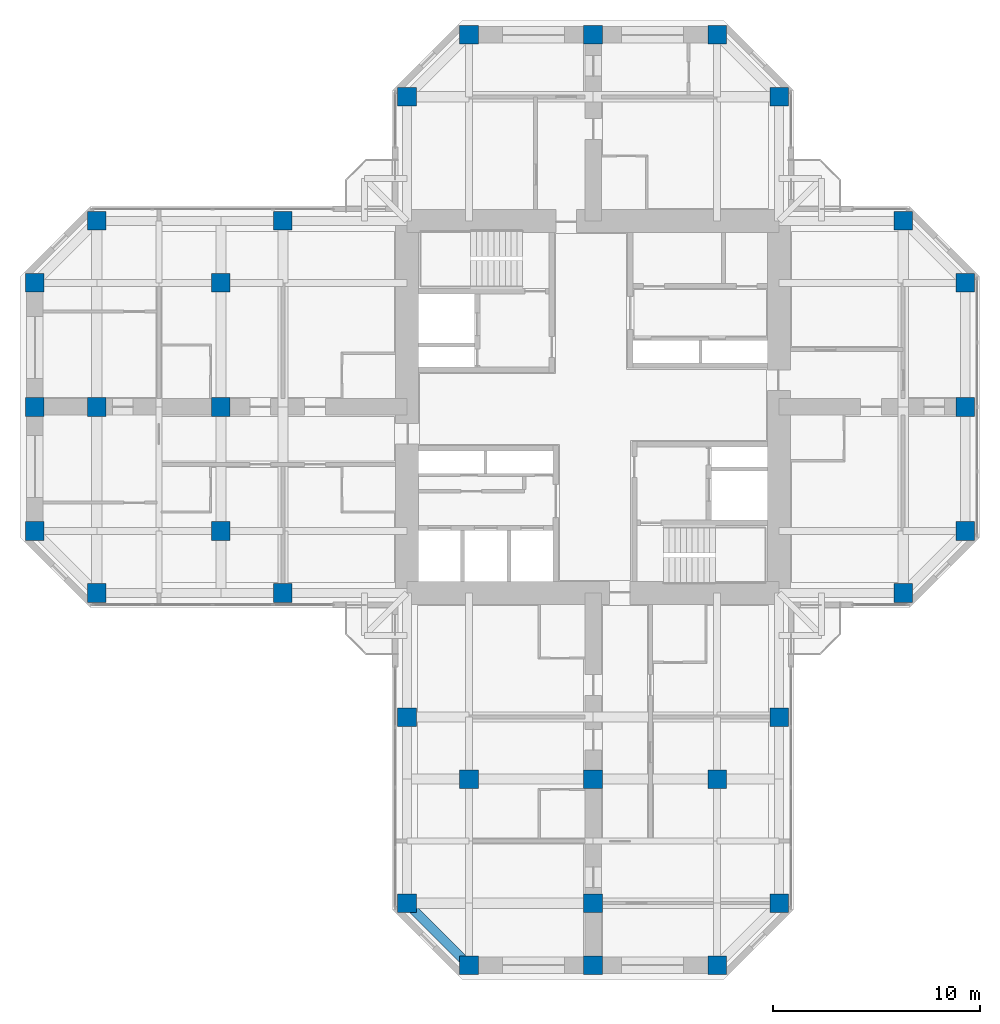
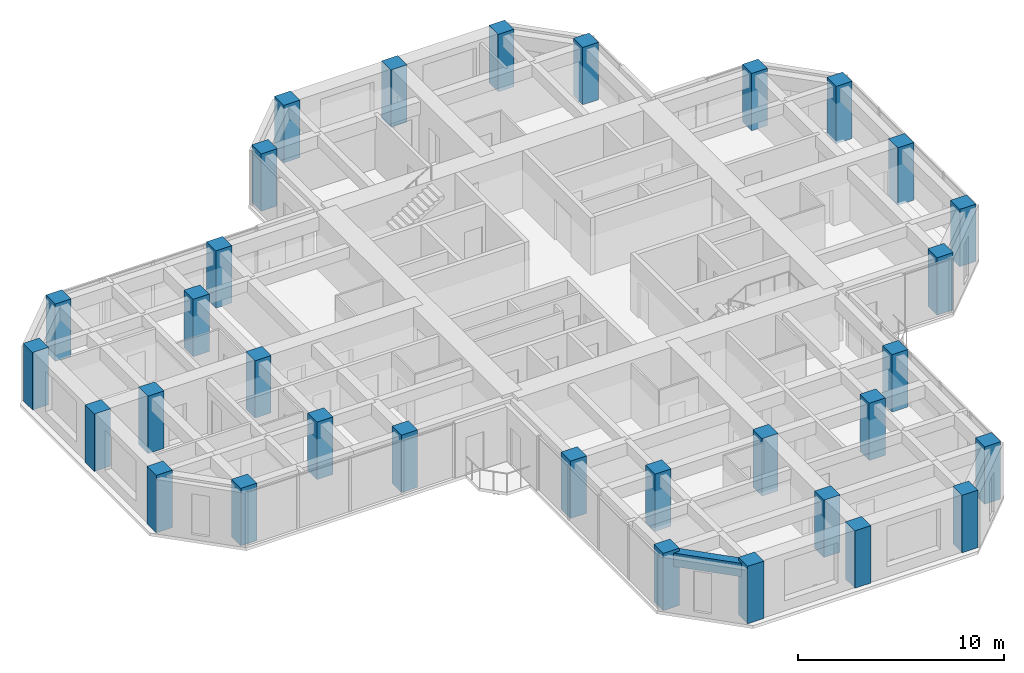
# One storey, part 1 of 13: 32 columns, 1 beam.
"""IFC4 building model written with IfcOpenShell, lengths in metres."""

import ifcopenshell
import ifcopenshell.guid

model = None  # the IFC model being written
_history = None  # IfcOwnerHistory: only IFC2X3 demands one
_inside = {}  # id of a spatial element -> (the spatial element, [elements in it])
_under = {}  # id of a project, library or spatial element -> (it, [spatial elements below it])
_declared = {}  # id of a project -> (the project, [libraries it declares])
_typed = {}  # id of a type object -> (the type object, [elements of that type])
_made_of = {}  # id of a material, layer set ... -> (it, [elements and type objects made of it])


def new_model(schema):
    """Start an empty IFC model of exactly this schema.

    Asked for "IFC4X3", IfcOpenShell would pick the latest addendum, in which some entities
    have other attributes; the version numbers below select the first issue.
    IFC2X3 requires an IfcOwnerHistory on every rooted entity: one is made here for all.
    """
    global model, _history
    if schema == "IFC4X3":
        model = ifcopenshell.file(schema_version=(4, 3, 0, 0))
    else:
        model = ifcopenshell.file(schema=schema)
    _inside.clear()
    _under.clear()
    _declared.clear()
    _typed.clear()
    _made_of.clear()
    _history = None
    if model.schema == "IFC2X3":
        org = make("IfcOrganization", Name="unknown")
        user = make(
            "IfcPersonAndOrganization",
            ThePerson=make("IfcPerson", FamilyName="unknown"),
            TheOrganization=org,
        )
        app = make(
            "IfcApplication",
            ApplicationDeveloper=org,
            Version="unknown",
            ApplicationFullName="unknown",
            ApplicationIdentifier="unknown",
        )
        _history = make(
            "IfcOwnerHistory",
            OwningUser=user,
            OwningApplication=app,
            ChangeAction="ADDED",
            CreationDate=0,
        )
    return model


def make(cls, **values):
    """One entity of the class cls with the attributes given. An attribute that is None is left unset."""
    return model.create_entity(
        cls, **{name: value for name, value in values.items() if value is not None}
    )


def rooted(cls, **values):
    """An entity with a GlobalId (a new one), such as an element, a storey or a relation."""
    return make(cls, GlobalId=ifcopenshell.guid.new(), OwnerHistory=_history, **values)


def si_unit(unit_type, name, prefix=None):
    """IfcSIUnit, for example si_unit("LENGTHUNIT", "METRE", prefix="MILLI")."""
    return make("IfcSIUnit", UnitType=unit_type, Prefix=prefix, Name=name)


def assignment(units):
    """IfcUnitAssignment: the units of a project."""
    return None if units is None else make("IfcUnitAssignment", Units=units)


def point(xyz):
    """IfcCartesianPoint."""
    return None if xyz is None else make("IfcCartesianPoint", Coordinates=xyz)


def direction(xyz):
    """IfcDirection."""
    return None if xyz is None else make("IfcDirection", DirectionRatios=xyz)


def frame(location, z_axis=None, x_axis=None):
    """IfcAxis2Placement3D, a coordinate frame: its origin and axes. An axis left out is left unset."""
    return make(
        "IfcAxis2Placement3D",
        Location=point(location),
        Axis=direction(z_axis),
        RefDirection=direction(x_axis),
    )


def frame_2d(location, x_axis=None):
    """IfcAxis2Placement2D, a coordinate frame in the plane: its origin and x axis."""
    return make(
        "IfcAxis2Placement2D", Location=point(location), RefDirection=direction(x_axis)
    )


def origin():
    """The frame at (0, 0, 0) with its axes left unset."""
    return frame((0.0, 0.0, 0.0))


def origin_2d():
    """The frame at (0, 0) in the plane with its x axis left unset."""
    return frame_2d((0.0, 0.0))


def place(relative_to, where):
    """IfcLocalPlacement: puts the frame where relative to a parent placement (None: the world)."""
    return make(
        "IfcLocalPlacement", PlacementRelTo=relative_to, RelativePlacement=where
    )


def context(
    kind, dimensions, precision=None, world=None, true_north=None, identifier=None
):
    """IfcGeometricRepresentationContext, for example the 3D "Model" context."""
    return make(
        "IfcGeometricRepresentationContext",
        ContextIdentifier=identifier,
        ContextType=kind,
        CoordinateSpaceDimension=dimensions,
        Precision=precision,
        WorldCoordinateSystem=world,
        TrueNorth=true_north,
    )


def subcontext(parent, identifier, kind, view, scale=None):
    """IfcGeometricRepresentationSubContext, for example "Body" below "Model"."""
    return make(
        "IfcGeometricRepresentationSubContext",
        ContextIdentifier=identifier,
        ContextType=kind,
        ParentContext=parent,
        TargetScale=scale,
        TargetView=view,
    )


def project(units=None, contexts=None):
    """IfcProject with its units and contexts."""
    return rooted(
        "IfcProject",
        Name="project",
        RepresentationContexts=contexts,
        UnitsInContext=assignment(units),
    )


def spatial(cls, under=None, at=None, **own):
    """A site, building, storey or space (cls), placed at a placement, below another one or the project."""
    s = rooted(cls, ObjectPlacement=at, **own)
    if under is not None:
        _under.setdefault(under.id(), (under, []))[1].append(s)
    return s


def profile(cls, at=None, kind="AREA", **sizes):
    """A parametric profile (cls). Its sizes go by their IFC names, for example OverallWidth=200.0."""
    return make(cls, ProfileType=kind, Position=at, **sizes)


def rectangle(**sizes):
    """IfcRectangleProfileDef."""
    return profile("IfcRectangleProfileDef", **sizes)


def extrude(swept, where, along, depth):
    """IfcExtrudedAreaSolid: the profile swept, set in the frame where, extruded along a direction by depth."""
    return make(
        "IfcExtrudedAreaSolid",
        SweptArea=swept,
        Position=where,
        ExtrudedDirection=direction(along),
        Depth=depth,
    )


def shape(context_of_items, identifier, shape_type, items):
    """IfcShapeRepresentation: the items that make up one representation, for example the "Body"."""
    return make(
        "IfcShapeRepresentation",
        ContextOfItems=context_of_items,
        RepresentationIdentifier=identifier,
        RepresentationType=shape_type,
        Items=items,
    )


def material(Name=None, Category=None):
    """IfcMaterial."""
    return make("IfcMaterial", Name=Name, Category=Category)


def material_profile(
    of_material, cross_section, Name=None, Category=None, Priority=None
):
    """IfcMaterialProfile: a cross section and its material."""
    return make(
        "IfcMaterialProfile",
        Name=Name,
        Material=of_material,
        Profile=cross_section,
        Priority=Priority,
        Category=Category,
    )


def profile_set(profiles, Name=None, composite=None):
    """IfcMaterialProfileSet."""
    return make(
        "IfcMaterialProfileSet",
        Name=Name,
        MaterialProfiles=profiles,
        CompositeProfile=composite,
    )


def made_of(thing, what):
    """Note that an element or type object is made of a material, layer set ...; save() writes the relation."""
    if what is not None:
        _made_of.setdefault(what.id(), (what, []))[1].append(thing)
    return thing


def type_object(cls, material=None, **own):
    """A type object (cls), such as IfcWallType, which elements share."""
    return made_of(rooted(cls, **own), material)


def element(
    cls,
    number,
    at=None,
    inside=None,
    cuts=None,
    type_object=None,
    material=None,
    context=None,
    identifier="Body",
    shape_type=None,
    held_by="IfcProductDefinitionShape",
    body=None,
    shapes=None,
    **own,
):
    """One element of the class cls, such as IfcWall. Its Tag is "e" and its number.

    at: its placement. inside: the storey or other place that contains it. cuts: it is an
    opening in that element (IfcRelVoidsElement). A single representation is given by context,
    identifier, shape_type and body (its items); several are given by shapes. held_by: the class
    of the entity that holds the representations. save() writes the other relations.
    """
    e = rooted(cls, Tag="e%d" % number, ObjectPlacement=at, **own)
    if body is not None:
        shapes = [shape(context, identifier, shape_type, body)]
    if shapes is not None:
        e.Representation = make(held_by, Representations=shapes)
    if inside is not None:
        _inside.setdefault(inside.id(), (inside, []))[1].append(e)
    if cuts is not None:
        rooted(
            "IfcRelVoidsElement", RelatingBuildingElement=cuts, RelatedOpeningElement=e
        )
    if type_object is not None:
        _typed.setdefault(type_object.id(), (type_object, []))[1].append(e)
    return made_of(e, material)


def aggregate(whole, parts):
    """IfcRelAggregates: a whole, such as a stair, and the parts it consists of."""
    return rooted("IfcRelAggregates", RelatingObject=whole, RelatedObjects=parts)


def save(model, path):
    """Write the relations noted so far, then the file.

    IfcRelAggregates (storeys below a building ...), IfcRelContainedInSpatialStructure (elements
    in a storey), IfcRelDefinesByType, IfcRelAssociatesMaterial and IfcRelDeclares: one each for
    every whole, place, type object, material and project.
    """
    for whole, parts in _under.values():
        aggregate(whole, parts)
    for where, things in _inside.values():
        rooted(
            "IfcRelContainedInSpatialStructure",
            RelatedElements=things,
            RelatingStructure=where,
        )
    for kind, things in _typed.values():
        rooted("IfcRelDefinesByType", RelatedObjects=things, RelatingType=kind)
    for what, things in _made_of.values():
        rooted("IfcRelAssociatesMaterial", RelatedObjects=things, RelatingMaterial=what)
    for by, libraries in _declared.values():
        rooted("IfcRelDeclares", RelatingContext=by, RelatedDefinitions=libraries)
    model.write(path)


model = new_model("IFC4")

# Units and contexts
model_context = context("Model", 3, precision=1e-05, world=origin(), true_north=direction((0.0, 1.0)))
body_context = subcontext(model_context, "Body", "Model", "MODEL_VIEW")
ifc_project = project(units=[si_unit("LENGTHUNIT", "METRE"), si_unit("AREAUNIT", "SQUARE_METRE"), si_unit("VOLUMEUNIT", "CUBIC_METRE"), si_unit("PLANEANGLEUNIT", "RADIAN"), si_unit("MASSUNIT", "GRAM", prefix="KILO")], contexts=[model_context])

# Site, building, storey
site_placement = place(None, origin())
site = spatial("IfcSite", under=ifc_project, at=site_placement, CompositionType="ELEMENT")
building_placement = place(site_placement, origin())
building = spatial("IfcBuilding", under=site, at=building_placement, Name="Torre Cruceta", CompositionType="ELEMENT")
storey_placement = place(building_placement, frame((0.0, 0.0, 193.300048828125)))
storey = spatial("IfcBuildingStorey", under=building, at=storey_placement, Name="L48", CompositionType="ELEMENT", Elevation=193.300048828125)

# Columns
ifc_material_1 = material(Name="Concrete G60 (fck 60 MPa)", Category="concrete")
ifc_material_profile_1 = material_profile(ifc_material_1, rectangle(XDim=0.89990234375, YDim=0.89990234375, at=origin_2d()), Name="RC 900X900")
ifc_profile_set_1 = profile_set([ifc_material_profile_1], Name="Concrete G60 (fck 60 MPa)")
column_type = type_object("IfcColumnType", Name="COLUMN RC 900X900", PredefinedType="COLUMN", material=ifc_profile_set_1)
for number, where, z_axis, x_axis, name in (
    (1, (9.0, 15.0, 0.0), (0.0, 0.0, 1.0), (1.0, 0.0, 0.0), "C6 L48 N chamfer"),
    (2, (-9.0, 15.0, 0.0), (0.0, 0.0, 1.0), (1.0, 0.0, 0.0), "C6 L48 N chamfer"),
    (3, (6.0, 18.0, 0.0), (0.0, 0.0, 1.0), (1.0, 0.0, 0.0), "C6 L48 N tip"),
    (4, (0.0, 18.0, 0.0), (0.0, 0.0, 1.0), (1.0, 0.0, 0.0), "C6 L48 N tip"),
    (5, (-6.0, 18.0, 0.0), (0.0, 0.0, 1.0), (1.0, 0.0, 0.0), "C6 L48 N tip"),
    (6, (15.0, -9.0, 0.0), (0.0, 0.0, 1.0), (1.0, 0.0, 0.0), "C6 L48 E chamfer"),
    (7, (15.0, 9.0, 0.0), (0.0, 0.0, 1.0), (1.0, 0.0, 0.0), "C6 L48 E chamfer"),
    (8, (18.0, -6.0, 0.0), (0.0, 0.0, 1.0), (1.0, 0.0, 0.0), "C6 L48 E tip"),
    (9, (18.0, 0.0, 0.0), (0.0, 0.0, 1.0), (1.0, 0.0, 0.0), "C6 L48 E tip"),
    (10, (18.0, 6.0, 0.0), (0.0, 0.0, 1.0), (1.0, 0.0, 0.0), "C6 L48 E tip"),
    (11, (-9.0, -15.0, 0.0), (0.0, 0.0, 1.0), (1.0, 0.0, 0.0), "C6 L48 S side"),
    (12, (-9.0, -24.0, 0.0), (0.0, 0.0, 1.0), (1.0, 0.0, 0.0), "C6 L48 S chamfer"),
    (13, (9.0, -15.0, 0.0), (0.0, 0.0, 1.0), (1.0, 0.0, 0.0), "C6 L48 S side"),
    (14, (9.0, -24.0, 0.0), (0.0, 0.0, 1.0), (1.0, 0.0, 0.0), "C6 L48 S chamfer"),
    (15, (-6.0, -27.0, 0.0), (0.0, 0.0, 1.0), (1.0, 0.0, 0.0), "C6 L48 S tip"),
    (16, (0.0, -27.0, 0.0), (0.0, 0.0, 1.0), (1.0, 0.0, 0.0), "C6 L48 S tip"),
    (17, (6.0, -27.0, 0.0), (0.0, 0.0, 1.0), (1.0, 0.0, 0.0), "C6 L48 S tip"),
    (18, (-15.0, 9.0, 0.0), (0.0, 0.0, 1.0), (1.0, 0.0, 0.0), "C6 L48 W side"),
    (19, (-24.0, 9.0, 0.0), (0.0, 0.0, 1.0), (1.0, 0.0, 0.0), "C6 L48 W chamfer"),
    (20, (-15.0, -9.0, 0.0), (0.0, 0.0, 1.0), (1.0, 0.0, 0.0), "C6 L48 W side"),
    (21, (-24.0, -9.0, 0.0), (0.0, 0.0, 1.0), (1.0, 0.0, 0.0), "C6 L48 W chamfer"),
    (22, (-27.0, 6.0, 0.0), (0.0, 0.0, 1.0), (1.0, 0.0, 0.0), "C6 L48 W tip"),
    (23, (-27.0, 0.0, 0.0), (0.0, 0.0, 1.0), (1.0, 0.0, 0.0), "C6 L48 W tip"),
    (24, (-27.0, -6.0, 0.0), (0.0, 0.0, 1.0), (1.0, 0.0, 0.0), "C6 L48 W tip"),
    (25, (-6.0, -18.0, 0.0), (0.0, 0.0, 1.0), (1.0, 0.0, 0.0), "C6 L48 S interior"),
    (26, (0.0, -18.0, 0.0), (0.0, 0.0, 1.0), (1.0, 0.0, 0.0), "C6 L48 S interior"),
    (27, (6.0, -18.0, 0.0), (0.0, 0.0, 1.0), (1.0, 0.0, 0.0), "C6 L48 S interior"),
    (28, (0.0, -24.0, 0.0), (0.0, 0.0, 1.0), (1.0, 0.0, 0.0), "C6 L48 S interior"),
    (29, (-18.0, 6.0, 0.0), (0.0, 0.0, 1.0), (1.0, 0.0, 0.0), "C6 L48 W interior"),
    (30, (-18.0, 0.0, 0.0), (0.0, 0.0, 1.0), (1.0, 0.0, 0.0), "C6 L48 W interior"),
    (31, (-18.0, -6.0, 0.0), (0.0, 0.0, 1.0), (1.0, 0.0, 0.0), "C6 L48 W interior"),
    (32, (-24.0, 0.0, 0.0), (0.0, 0.0, 1.0), (1.0, 0.0, 0.0), "C6 L48 W interior"),
):
    element("IfcColumn", number, at=place(storey_placement, frame(where, z_axis=z_axis, x_axis=x_axis)), inside=storey, type_object=column_type, Name=name, PredefinedType="COLUMN", context=body_context, shape_type="SweptSolid", body=[
        extrude(rectangle(XDim=0.89990234375, YDim=0.89990234375, at=origin_2d()), origin(), (0.0, 0.0, 1.0), 3.39990234375),
    ])

# Beam
ifc_material_2 = material(Name="Concrete G60 (fck 60 MPa)", Category="concrete")
ifc_material_profile_2 = material_profile(ifc_material_2, rectangle(XDim=0.449951171875, YDim=0.800048828125, at=origin_2d()), Name="RC 450X800")
ifc_profile_set_2 = profile_set([ifc_material_profile_2], Name="Concrete G60 (fck 60 MPa)")
beam_type = type_object("IfcBeamType", Name="SPANDREL BEAM RC 450X800", PredefinedType="SPANDREL", material=ifc_profile_set_2)
beam_placement = place(storey_placement, frame((-9.0, -24.0, 2.820068359375), z_axis=(0.707106781187, -0.707106781187, 0.0), x_axis=(0.707106781187, 0.707106781187, 0.0)))
element("IfcBeam", 33, at=beam_placement, inside=storey, type_object=beam_type, Name="SB6 L48 S side- 5", PredefinedType="SPANDREL", context=body_context, shape_type="SweptSolid", body=[
    extrude(rectangle(XDim=0.449951171875, YDim=0.800048828125, at=origin_2d()), origin(), (0.0, 0.0, 1.0), 4.24267578125),
])

save(model, "model.ifc")
